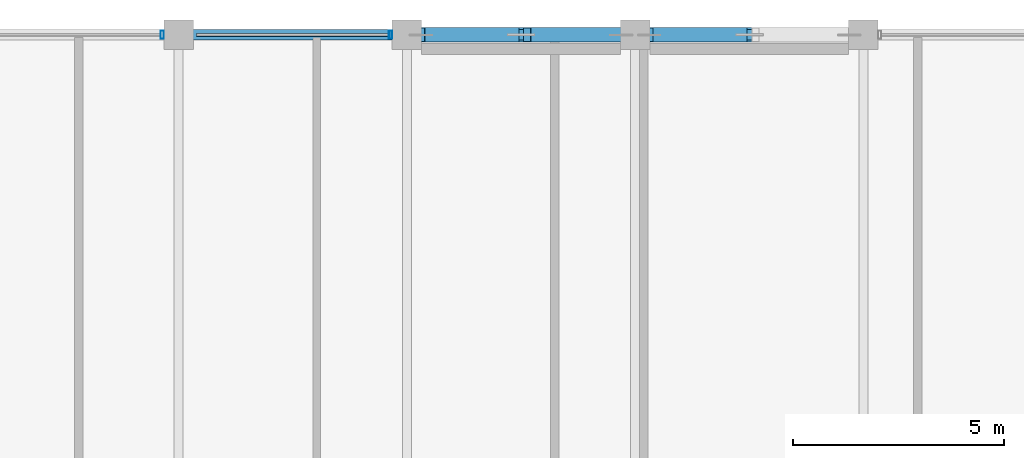
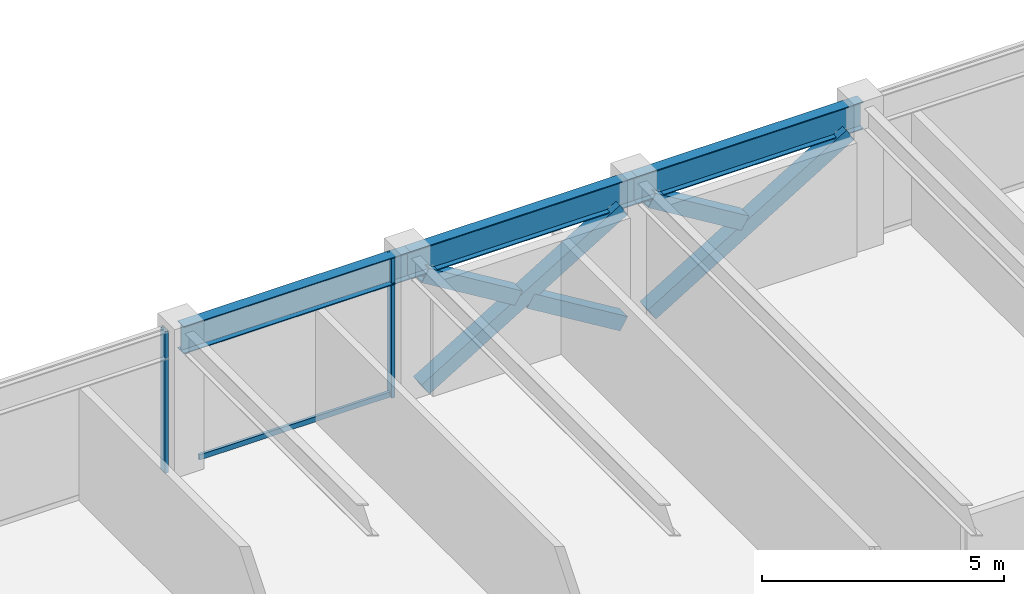
# One storey, part 19 of 32: 8 members, 3 beams, 1 element without a shape of its own.
"""IFC4 building model written with IfcOpenShell, lengths in metres."""

from ifc_helpers import new_model, si_unit, direction, frame, origin, origin_2d, place, context, subcontext, project, spatial, hollow_rectangle, i_section, extrude, material, layer, layer_set, material_profile, profile_set, type_object, element, aggregate, save


model = new_model("IFC4")

# Units and contexts
model_context = context("Model", 3, precision=1e-05, world=origin(), true_north=direction((0.0, 1.0)))
body_context = subcontext(model_context, "Body", "Model", "MODEL_VIEW")
ifc_project = project(units=[si_unit("LENGTHUNIT", "METRE"), si_unit("AREAUNIT", "SQUARE_METRE"), si_unit("VOLUMEUNIT", "CUBIC_METRE"), si_unit("PLANEANGLEUNIT", "RADIAN"), si_unit("MASSUNIT", "GRAM", prefix="KILO")], contexts=[model_context])

# Site, building, storey
site_placement = place(None, origin())
site = spatial("IfcSite", under=ifc_project, at=site_placement, CompositionType="ELEMENT")
building_placement = place(site_placement, origin())
building = spatial("IfcBuilding", under=site, at=building_placement, Name="Surkhivell Harbour Commons", CompositionType="ELEMENT")
storey_placement = place(building_placement, frame((0.0, 0.0, 311.25)))
storey = spatial("IfcBuildingStorey", under=building, at=storey_placement, Name="L81", CompositionType="ELEMENT", Elevation=311.25)

# Beams
ifc_material_1 = material(Name="Steel S355", Category="steel")
ifc_material_profile_1 = material_profile(ifc_material_1, i_section(OverallWidth=0.256103515625, OverallDepth=0.693115234375, WebThickness=0.014404296875, FlangeThickness=0.023681640625, at=origin_2d()), Name="UB686x254x170")
ifc_profile_set_1 = profile_set([ifc_material_profile_1], Name="Steel S355")
beam_type = type_object("IfcBeamType", Name="BM-SPN-686", PredefinedType="SPANDREL", material=ifc_profile_set_1)
beam_placement = place(storey_placement, frame((-10.800048828125, 25.89990234375, 3.223388671875), z_axis=(1.0, 0.0, 0.0), x_axis=(0.0, 1.0, 0.0)))
element("IfcBeam", 1, at=beam_placement, inside=storey, type_object=beam_type, Name="L81 Tube Spandrel (-10.8,25.9)", PredefinedType="SPANDREL", context=body_context, shape_type="SweptSolid", body=[
    extrude(i_section(OverallWidth=0.256103515625, OverallDepth=0.693115234375, WebThickness=0.014404296875, FlangeThickness=0.023681640625, at=origin_2d()), origin(), (0.0, 0.0, 1.0), 5.400146484375),
])
for number, where, z_axis, x_axis, name in (
    (2, (-5.39990234375, 25.89990234375, 3.223388671875), (1.0, 0.0, 0.0), (0.0, 1.0, 0.0), "L81 Tube Spandrel (-5.4,25.9)"),
    (3, (0.0, 25.89990234375, 3.223388671875), (1.0, 0.0, 0.0), (0.0, 1.0, 0.0), "L81 Tube Spandrel (-0.0,25.9)"),
):
    element("IfcBeam", number, at=place(storey_placement, frame(where, z_axis=z_axis, x_axis=x_axis)), inside=storey, type_object=beam_type, Name=name, PredefinedType="SPANDREL", context=body_context, shape_type="SweptSolid", body=[
        extrude(i_section(OverallWidth=0.256103515625, OverallDepth=0.693115234375, WebThickness=0.014404296875, FlangeThickness=0.023681640625, at=origin_2d()), origin(), (0.0, 0.0, 1.0), 5.39990234375),
    ])

# Curtain wall, members
ifc_material_2 = material(Name="Anodised pale-metal aluminium and insulated glazing", Category="aluminium")
ifc_layer = layer(ifc_material_2, 0.175048828125)
ifc_layer_set = layer_set([ifc_layer], Name="Anodised pale-metal aluminium and insulated glazing")
curtain_wall_type = type_object("IfcCurtainWallType", Name="CW-SYS-Z4", PredefinedType="NOTDEFINED", material=ifc_layer_set)
curtain_wall_placement = place(storey_placement, origin())
curtain_wall = element("IfcCurtainWall", 4, at=curtain_wall_placement, inside=storey, type_object=curtain_wall_type, Name="L81 Curtain Wall CW-L81-E07S2", PredefinedType="NOTDEFINED")
ifc_material_3 = material(Name="Anodised pale-metal aluminium alloy 6063-T6", Category="aluminium")
ifc_material_profile_2 = material_profile(ifc_material_3, hollow_rectangle(XDim=0.074951171875, YDim=0.18994140625, WallThickness=0.00390625, at=origin_2d()), Name="ALU-MULL-75x190")
ifc_profile_set_2 = profile_set([ifc_material_profile_2], Name="Anodised pale-metal aluminium alloy 6063-T6")
member_type_1 = type_object("IfcMemberType", Name="CWM-190", PredefinedType="MULLION", material=ifc_profile_set_2)
member_1_placement = place(storey_placement, frame((-5.78955078125, 25.89990234375, 0.0), z_axis=(0.0, 0.0, 1.0), x_axis=(-1.0, 0.0, 0.0)))
member_1 = element("IfcMember", 5, at=member_1_placement, type_object=member_type_1, Name="CW-Z4 mullion 1", PredefinedType="MULLION", context=body_context, shape_type="SweptSolid", body=[
    extrude(hollow_rectangle(XDim=0.074951171875, YDim=0.18994140625, WallThickness=0.00390625, at=origin_2d()), origin(), (0.0, 0.0, 1.0), 3.570068359375),
])
member_2_placement = place(storey_placement, frame((-11.189453125, 25.89990234375, 0.0), z_axis=(0.0, 0.0, 1.0), x_axis=(-1.0, 0.0, 0.0)))
member_2 = element("IfcMember", 6, at=member_2_placement, type_object=member_type_1, Name="CW-Z4 mullion 2", PredefinedType="MULLION", context=body_context, shape_type="SweptSolid", body=[
    extrude(hollow_rectangle(XDim=0.074951171875, YDim=0.18994140625, WallThickness=0.00390625, at=origin_2d()), origin(), (0.0, 0.0, 1.0), 3.570068359375),
])
ifc_material_4 = material(Name="Champagne anodised aluminium alloy 6063-T6", Category="aluminium")
ifc_material_profile_3 = material_profile(ifc_material_4, hollow_rectangle(XDim=0.070068359375, YDim=0.1298828125, WallThickness=0.00341796875, at=origin_2d()), Name="ALU-TRAN-70x130")
ifc_profile_set_3 = profile_set([ifc_material_profile_3], Name="Champagne anodised aluminium alloy 6063-T6")
member_type_2 = type_object("IfcMemberType", Name="CWT-130", PredefinedType="USERDEFINED", material=ifc_profile_set_3)
member_3_placement = place(storey_placement, frame((-5.826904296875, 25.89990234375, 0.06494140625), z_axis=(-1.0, 0.0, 0.0), x_axis=(0.0, -1.0, 0.0)))
member_3 = element("IfcMember", 7, at=member_3_placement, type_object=member_type_2, Name="CW-Z4 transom 1.1", ObjectType="TRANSOM", PredefinedType="USERDEFINED", context=body_context, shape_type="SweptSolid", body=[
    extrude(hollow_rectangle(XDim=0.070068359375, YDim=0.1298828125, WallThickness=0.00341796875, at=origin_2d()), origin(), (0.0, 0.0, 1.0), 4.546142578125),
])
aggregate(curtain_wall, [member_1, member_3, member_2])

# Members
ifc_material_profile_4 = material_profile(ifc_material_1, hollow_rectangle(XDim=0.35009765625, YDim=0.35009765625, WallThickness=0.01611328125, at=origin_2d()), Name="SHS350x350x16")
ifc_profile_set_4 = profile_set([ifc_material_profile_4], Name="Steel S355")
member_type_3 = type_object("IfcMemberType", Name="MEM-BRC-SHS350", PredefinedType="BRACE", material=ifc_profile_set_4)
member_4_placement = place(storey_placement, frame((-5.06494140625, 25.89990234375, 0.008056640625), z_axis=(0.854685454322, 0.0, 0.519146197299), x_axis=(0.0, 1.0, 0.0)))
element("IfcMember", 8, at=member_4_placement, inside=storey, type_object=member_type_3, Name="L81 Perimeter Mega-Brace MB- 01", PredefinedType="BRACE", context=body_context, shape_type="SweptSolid", body=[
    extrude(hollow_rectangle(XDim=0.35009765625, YDim=0.35009765625, WallThickness=0.01611328125, at=origin_2d()), origin(), (0.0, 0.0, 1.0), 5.5341796875),
])
for number, where, z_axis, x_axis, name in (
    (9, (-0.3349609375, 25.89990234375, 0.008056640625), (-0.854678858595, 0.0, 0.51915705588), (0.0, -1.0, 0.0), "L81 Perimeter Mega-Brace MB- 02"),
    (10, (-2.843505859375, 25.89990234375, 1.53173828125), (-0.854678858595, 0.0, 0.51915705588), (0.0, -1.0, 0.0), "L81 Perimeter Mega-Brace MB- 03"),
):
    element("IfcMember", number, at=place(storey_placement, frame(where, z_axis=z_axis, x_axis=x_axis)), inside=storey, type_object=member_type_3, Name=name, PredefinedType="BRACE", context=body_context, shape_type="SweptSolid", body=[
        extrude(hollow_rectangle(XDim=0.35009765625, YDim=0.35009765625, WallThickness=0.01611328125, at=origin_2d()), origin(), (0.0, 0.0, 1.0), 2.59912109375),
    ])
member_5_placement = place(storey_placement, frame((0.3349609375, 25.89990234375, 0.008056640625), z_axis=(0.854685454322, 0.0, 0.519146197299), x_axis=(0.0, 1.0, 0.0)))
element("IfcMember", 11, at=member_5_placement, inside=storey, type_object=member_type_3, Name="L81 Perimeter Mega-Brace MB- 04", PredefinedType="BRACE", context=body_context, shape_type="SweptSolid", body=[
    extrude(hollow_rectangle(XDim=0.35009765625, YDim=0.35009765625, WallThickness=0.01611328125, at=origin_2d()), origin(), (0.0, 0.0, 1.0), 5.5341796875),
])
member_6_placement = place(storey_placement, frame((2.556396484375, 25.89990234375, 1.53173828125), z_axis=(-0.854678858595, 0.0, 0.51915705588), x_axis=(0.0, -1.0, 0.0)))
element("IfcMember", 12, at=member_6_placement, inside=storey, type_object=member_type_3, Name="L81 Perimeter Mega-Brace MB- 06", PredefinedType="BRACE", context=body_context, shape_type="SweptSolid", body=[
    extrude(hollow_rectangle(XDim=0.35009765625, YDim=0.35009765625, WallThickness=0.01611328125, at=origin_2d()), origin(), (0.0, 0.0, 1.0), 2.59912109375),
])

save(model, "model.ifc")
